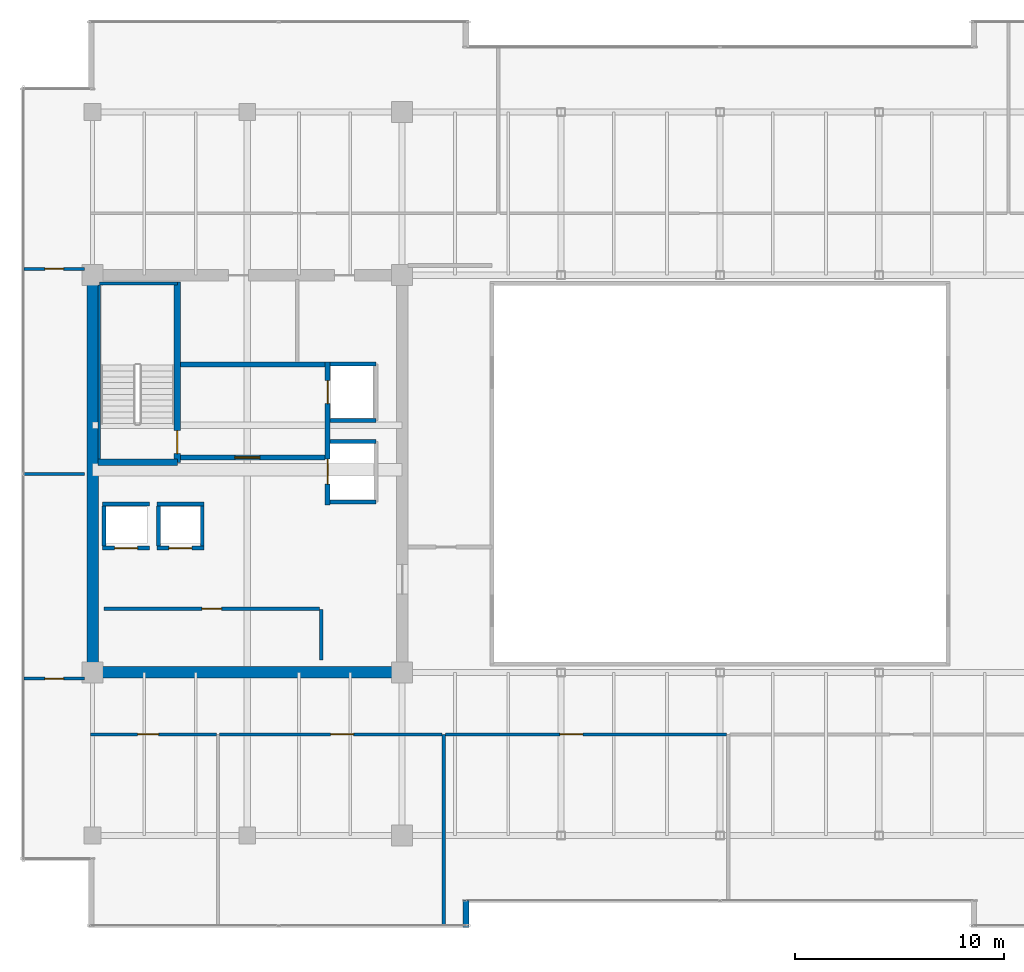
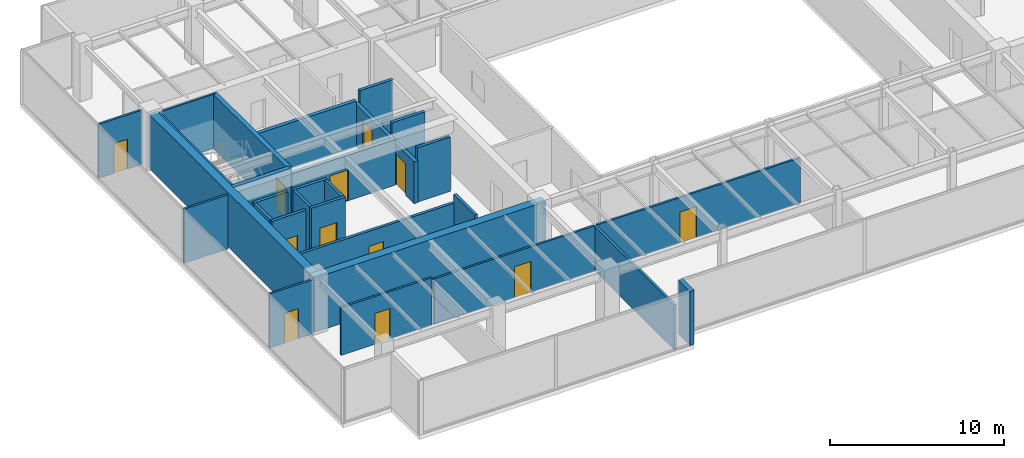
# One storey, part 28 of 33: 30 walls, 12 doors, 12 openings.
"""IFC4 building model written with IfcOpenShell, lengths in metres."""

from ifc_helpers import new_model, si_unit, direction, frame, frame_2d, origin, place, context, subcontext, project, spatial, rectangle, extrude, source, transform, mapped, material, layer, layer_set, type_object, type_shapes, element, fill, save


model = new_model("IFC4")

# Units and contexts
model_context = context("Model", 3, precision=1e-05, world=origin(), true_north=direction((0.0, 1.0)))
body_context = subcontext(model_context, "Body", "Model", "MODEL_VIEW")
ifc_project = project(units=[si_unit("LENGTHUNIT", "METRE"), si_unit("AREAUNIT", "SQUARE_METRE"), si_unit("VOLUMEUNIT", "CUBIC_METRE"), si_unit("PLANEANGLEUNIT", "RADIAN"), si_unit("MASSUNIT", "GRAM", prefix="KILO")], contexts=[model_context])

# Site, building, storey
site_placement = place(None, origin())
site = spatial("IfcSite", under=ifc_project, at=site_placement, CompositionType="ELEMENT")
building_placement = place(site_placement, origin())
building = spatial("IfcBuilding", under=site, at=building_placement, Name="Haelvirn Gate Laboratories", CompositionType="ELEMENT")
storey_placement = place(building_placement, frame((0.0, 0.0, 267.0)))
storey = spatial("IfcBuildingStorey", under=building, at=storey_placement, Name="L64", CompositionType="ELEMENT", Elevation=267.0)

# Walls
ifc_material_1 = material(Name="Thermally-broken bronze aluminium rainscreen & mineral wool", Category="aluminium")
ifc_layer_1 = layer(ifc_material_1, 0.280029296875, Name="EW-TERR-280")
ifc_layer_set_1 = layer_set([ifc_layer_1], Name="Thermally-broken bronze aluminium rainscreen & mineral wool")
wall_type_1 = type_object("IfcWallType", Name="EW-TERR-280", PredefinedType="STANDARD", material=ifc_layer_set_1)
wall_1_placement = place(storey_placement, frame((25.260009765625, 2.60009765625, 0.0), z_axis=(0.0, 0.0, 1.0), x_axis=(0.0, 1.0, 0.0)))
element("IfcWall", 1, at=wall_1_placement, inside=storey, type_object=wall_type_1, Name="L64 Atrium Recess Bronze Return Wall 01", PredefinedType="STANDARD", context=body_context, shape_type="SweptSolid", body=[
    extrude(rectangle(XDim=1.29296875, YDim=0.280029296875, at=frame_2d((0.646484375, 0.0))), origin(), (0.0, 0.0, 1.0), 3.800048828125),
])
ifc_material_2 = material(Name="Double-layer acoustic gypsum laboratory partition", Category="gypsum")
ifc_layer_2 = layer(ifc_material_2, 0.159912109375, Name="IW-ACOUST-160")
ifc_layer_set_2 = layer_set([ifc_layer_2], Name="Double-layer acoustic gypsum laboratory partition")
wall_type_2 = type_object("IfcWallType", Name="IW-ACOUST-160", PredefinedType="PARTITIONING", material=ifc_layer_set_2)
wall_2_placement = place(storey_placement, frame((24.199951171875, 2.7099609375, 0.0), z_axis=(0.0, 0.0, 1.0), x_axis=(0.0, 1.0, 0.0)))
element("IfcWall", 2, at=wall_2_placement, inside=storey, type_object=wall_type_2, Name="L64 Interior Wall IW-L64-SDIV-02", PredefinedType="PARTITIONING", context=body_context, shape_type="SweptSolid", body=[
    extrude(rectangle(XDim=9.130126953125, YDim=0.159912109375, at=frame_2d((4.56494140625, 0.0))), origin(), (0.0, 0.0, 1.0), 3.135009765625),
])

# Wall, opening, door
ifc_material_3 = material(Name="Acoustic mineral-wool gypsum board partition", Category="gypsum")
ifc_layer_3 = layer(ifc_material_3, 0.139892578125, Name="IW-PART-140")
ifc_layer_set_3 = layer_set([ifc_layer_3], Name="Acoustic mineral-wool gypsum board partition")
wall_type_3 = type_object("IfcWallType", Name="IW-PART-140", PredefinedType="PARTITIONING", material=ifc_layer_set_3)
wall_3_placement = place(storey_placement, frame((7.31005859375, 11.840087890625, 0.0), z_axis=(0.0, 0.0, 1.0), x_axis=(1.0, 0.0, 0.0)))
wall_3 = element("IfcWall", 3, at=wall_3_placement, inside=storey, type_object=wall_type_3, Name="L64 Interior Wall IW-L64-SCORR-01", PredefinedType="PARTITIONING", context=body_context, shape_type="SweptSolid", body=[
    extrude(rectangle(XDim=6.010009765625, YDim=0.139892578125, at=frame_2d((3.0048828125, 0.0))), origin(), (0.0, 0.0, 1.0), 3.3349609375),
])
opening_1_placement = place(wall_3_placement, frame((2.246337890625, 0.0, 0.0)))
opening_1 = element("IfcOpeningElement", 4, at=opening_1_placement, cuts=wall_3, Name="Opening D2", PredefinedType="OPENING", context=body_context, shape_type="SweptSolid", body=[
    extrude(rectangle(XDim=1.0, YDim=2.14990234375, at=frame_2d((0.5, 1.074951171875))), frame((0.0, 0.080078125, 0.0), z_axis=(0.0, -1.0, 0.0), x_axis=(1.0, 0.0, 0.0)), (0.0, 0.0, 1.0), 0.159912109375),
])
ifc_material_4 = material(Name="Acoustic solid-core timber suite door", Category="wood")
door_type_1 = type_object("IfcDoorType", Name="DR-INT-1000", OperationType="NOTDEFINED", PredefinedType="DOOR", material=ifc_material_4)
shared_shape_1 = source(origin(), body_context, "Body", "SweptSolid", [
    extrude(rectangle(XDim=1.0, YDim=2.14990234375, at=frame_2d((0.5, 1.074951171875))), frame((0.0, 0.02490234375, 0.0), z_axis=(0.0, -1.0, 0.0), x_axis=(1.0, 0.0, 0.0)), (0.0, 0.0, 1.0), 0.050048828125),
])
type_shapes(door_type_1, [shared_shape_1])
door_1_placement = place(opening_1_placement, origin())
door_1 = element("IfcDoor", 5, at=door_1_placement, inside=storey, type_object=door_type_1, Name="L64 Bioinformatics Dry-Lab Workspace Door S1", OperationType="SINGLE_SWING_LEFT", OverallHeight=2.14990234375, OverallWidth=1.0, PredefinedType="DOOR", context=body_context, shape_type="MappedRepresentation", body=[
    mapped(shared_shape_1, transform((0.0, 0.0, 0.0), scale=1.0)),
])
fill(opening_1, door_1)

wall_4_placement = place(storey_placement, frame((13.47998046875, 11.840087890625, 0.0), z_axis=(0.0, 0.0, 1.0), x_axis=(1.0, 0.0, 0.0)))
wall_4 = element("IfcWall", 6, at=wall_4_placement, inside=storey, type_object=wall_type_3, Name="L64 Interior Wall IW-L64-SCORR-02", PredefinedType="PARTITIONING", context=body_context, shape_type="SweptSolid", body=[
    extrude(rectangle(XDim=10.64013671875, YDim=0.139892578125, at=frame_2d((5.320068359375, 0.0))), origin(), (0.0, 0.0, 1.0), 3.197021484375),
])
opening_2_placement = place(wall_4_placement, frame((5.30029296875, 0.0, 0.0)))
opening_2 = element("IfcOpeningElement", 7, at=opening_2_placement, cuts=wall_4, Name="Opening D1", PredefinedType="OPENING", context=body_context, shape_type="SweptSolid", body=[
    extrude(rectangle(XDim=1.10009765625, YDim=2.179931640625, at=frame_2d((0.550048828125, 1.08984375))), frame((0.0, 0.080078125, 0.0), z_axis=(0.0, -1.0, 0.0), x_axis=(1.0, 0.0, 0.0)), (0.0, 0.0, 1.0), 0.159912109375),
])
ifc_material_5 = material(Name="Vision-panel acoustic solid-core timber lab door", Category="wood")
door_type_2 = type_object("IfcDoorType", Name="DR-LAB-1100", OperationType="NOTDEFINED", PredefinedType="DOOR", material=ifc_material_5)
shared_shape_2 = source(origin(), body_context, "Body", "SweptSolid", [
    extrude(rectangle(XDim=1.10009765625, YDim=2.179931640625, at=frame_2d((0.550048828125, 1.08984375))), frame((0.0, 0.02490234375, 0.0), z_axis=(0.0, -1.0, 0.0), x_axis=(1.0, 0.0, 0.0)), (0.0, 0.0, 1.0), 0.050048828125),
])
type_shapes(door_type_2, [shared_shape_2])
door_2_placement = place(opening_2_placement, origin())
door_2 = element("IfcDoor", 8, at=door_2_placement, inside=storey, type_object=door_type_2, Name="L64 Translational Data Office Door S2", OperationType="SINGLE_SWING_RIGHT", OverallHeight=2.179931640625, OverallWidth=1.10009765625, PredefinedType="DOOR", context=body_context, shape_type="MappedRepresentation", body=[
    mapped(shared_shape_2, transform((0.0, 0.0, 0.0), scale=1.0)),
])
fill(opening_2, door_2)

wall_5_placement = place(storey_placement, frame((24.280029296875, 11.840087890625, 0.0), z_axis=(0.0, 0.0, 1.0), x_axis=(1.0, 0.0, 0.0)))
wall_5 = element("IfcWall", 9, at=wall_5_placement, inside=storey, type_object=wall_type_3, Name="L64 Interior Wall IW-L64-SCORR-03", PredefinedType="PARTITIONING", context=body_context, shape_type="SweptSolid", body=[
    extrude(rectangle(XDim=13.43994140625, YDim=0.139892578125, at=frame_2d((6.719970703125, 0.0))), origin(), (0.0, 0.0, 1.0), 3.197021484375),
])
opening_3_placement = place(wall_5_placement, frame((5.4716796875, 0.0, 0.0)))
opening_3 = element("IfcOpeningElement", 10, at=opening_3_placement, cuts=wall_5, Name="Opening D1", PredefinedType="OPENING", context=body_context, shape_type="SweptSolid", body=[
    extrude(rectangle(XDim=1.10009765625, YDim=2.179931640625, at=frame_2d((0.550048828125, 1.08984375))), frame((0.0, 0.080078125, 0.0), z_axis=(0.0, -1.0, 0.0), x_axis=(1.0, 0.0, 0.0)), (0.0, 0.0, 1.0), 0.159912109375),
])
door_3_placement = place(opening_3_placement, origin())
door_3 = element("IfcDoor", 11, at=door_3_placement, inside=storey, type_object=door_type_2, Name="L64 Scientific Reference Library Door S3", OperationType="SINGLE_SWING_LEFT", OverallHeight=2.179931640625, OverallWidth=1.10009765625, PredefinedType="DOOR", context=body_context, shape_type="MappedRepresentation", body=[
    mapped(shared_shape_2, transform((0.0, 0.0, 0.0), scale=1.0)),
])
fill(opening_3, door_3)

# Wall
wall_6_placement = place(storey_placement, frame((4.110107421875, 24.300048828125, 0.0), z_axis=(0.0, 0.0, 1.0), x_axis=(1.0, 0.0, 0.0)))
element("IfcWall", 12, at=wall_6_placement, inside=storey, type_object=wall_type_3, Name="L64 Interior Wall IW-L64-WZ3-MID", PredefinedType="PARTITIONING", context=body_context, shape_type="SweptSolid", body=[
    extrude(rectangle(XDim=2.909912109375, YDim=0.139892578125, at=frame_2d((1.455078125, 0.0))), origin(), (0.0, 0.0, 1.0), 3.800048828125),
])

# Wall, opening, door
wall_7_placement = place(storey_placement, frame((4.110107421875, 14.5048828125, 0.0), z_axis=(0.0, 0.0, 1.0), x_axis=(1.0, 0.0, 0.0)))
wall_7 = element("IfcWall", 13, at=wall_7_placement, inside=storey, type_object=wall_type_3, Name="L64 Interior Wall IW-L64-WZ3-ENT-S", PredefinedType="PARTITIONING", context=body_context, shape_type="SweptSolid", body=[
    extrude(rectangle(XDim=2.909912109375, YDim=0.139892578125, at=frame_2d((1.455078125, 0.0))), origin(), (0.0, 0.0, 1.0), 3.800048828125),
])
opening_4_placement = place(wall_7_placement, frame((1.0048828125, 0.0, 0.0)))
opening_4 = element("IfcOpeningElement", 14, at=opening_4_placement, cuts=wall_7, Name="Opening D4", PredefinedType="OPENING", context=body_context, shape_type="SweptSolid", body=[
    extrude(rectangle(XDim=0.89990234375, YDim=2.10009765625, at=frame_2d((0.449951171875, 1.050048828125))), frame((0.0, 0.080078125, 0.0), z_axis=(0.0, -1.0, 0.0), x_axis=(1.0, 0.0, 0.0)), (0.0, 0.0, 1.0), 0.159912109375),
])
ifc_material_6 = material(Name="Glazed aluminium-framed write-up door", Category="aluminium")
door_type_3 = type_object("IfcDoorType", Name="DR-OFF-900", OperationType="NOTDEFINED", PredefinedType="DOOR", material=ifc_material_6)
shared_shape_3 = source(origin(), body_context, "Body", "SweptSolid", [
    extrude(rectangle(XDim=0.89990234375, YDim=2.10009765625, at=frame_2d((0.449951171875, 1.050048828125))), frame((0.0, 0.02490234375, 0.0), z_axis=(0.0, -1.0, 0.0), x_axis=(1.0, 0.0, 0.0)), (0.0, 0.0, 1.0), 0.050048828125),
])
type_shapes(door_type_3, [shared_shape_3])
door_4_placement = place(opening_4_placement, origin())
door_4 = element("IfcDoor", 15, at=door_4_placement, inside=storey, type_object=door_type_3, Name="L64 Peer-Review Seminar Room Door W-S", OperationType="SINGLE_SWING_LEFT", OverallHeight=2.10009765625, OverallWidth=0.89990234375, PredefinedType="DOOR", context=body_context, shape_type="MappedRepresentation", body=[
    mapped(shared_shape_3, transform((0.0, 0.0, 0.0), scale=1.0)),
])
fill(opening_4, door_4)

wall_8_placement = place(storey_placement, frame((4.110107421875, 34.094970703125, 0.0), z_axis=(0.0, 0.0, 1.0), x_axis=(1.0, 0.0, 0.0)))
wall_8 = element("IfcWall", 16, at=wall_8_placement, inside=storey, type_object=wall_type_3, Name="L64 Interior Wall IW-L64-WZ3-ENT-N", PredefinedType="PARTITIONING", context=body_context, shape_type="SweptSolid", body=[
    extrude(rectangle(XDim=2.909912109375, YDim=0.139892578125, at=frame_2d((1.455078125, 0.0))), origin(), (0.0, 0.0, 1.0), 3.800048828125),
])
opening_5_placement = place(wall_8_placement, frame((1.0048828125, 0.0, 0.0)))
opening_5 = element("IfcOpeningElement", 17, at=opening_5_placement, cuts=wall_8, Name="Opening D4", PredefinedType="OPENING", context=body_context, shape_type="SweptSolid", body=[
    extrude(rectangle(XDim=0.89990234375, YDim=2.10009765625, at=frame_2d((0.449951171875, 1.050048828125))), frame((0.0, 0.080078125, 0.0), z_axis=(0.0, -1.0, 0.0), x_axis=(1.0, 0.0, 0.0)), (0.0, 0.0, 1.0), 0.159912109375),
])
door_5_placement = place(opening_5_placement, origin())
door_5 = element("IfcDoor", 18, at=door_5_placement, inside=storey, type_object=door_type_3, Name="L64 Protocol Briefing Training Room Door W-N", OperationType="SINGLE_SWING_RIGHT", OverallHeight=2.10009765625, OverallWidth=0.89990234375, PredefinedType="DOOR", context=body_context, shape_type="MappedRepresentation", body=[
    mapped(shared_shape_3, transform((0.0, 0.0, 0.0), scale=1.0)),
])
fill(opening_5, door_5)

# Walls
ifc_material_7 = material(Name="Concrete C40/50", Category="concrete")
ifc_layer_4 = layer(ifc_material_7, 0.179931640625, Name="IW-SHAFT-180")
ifc_layer_set_4 = layer_set([ifc_layer_4], Name="Concrete C40/50")
wall_type_4 = type_object("IfcWallType", Name="IW-SHAFT-180", PredefinedType="SOLIDWALL", material=ifc_layer_set_4)
for number, where, z_axis, x_axis, name in (
    (19, (7.949951171875, 20.85009765625, 0.0), (0.0, 0.0, 1.0), (0.0, 1.0, 0.0), "L64 Interior Wall IW-L64-PL9-SD"),
    (20, (10.550048828125, 20.85009765625, 0.0), (0.0, 0.0, 1.0), (0.0, 1.0, 0.0), "L64 Interior Wall IW-L64-PL10-SD"),
    (21, (12.64990234375, 20.85009765625, 0.0), (0.0, 0.0, 1.0), (0.0, 1.0, 0.0), "L64 Interior Wall IW-L64-PL10-SDE"),
):
    element("IfcWall", number, at=place(storey_placement, frame(where, z_axis=z_axis, x_axis=x_axis)), inside=storey, type_object=wall_type_4, Name=name, PredefinedType="SOLIDWALL", context=body_context, shape_type="SweptSolid", body=[
        extrude(rectangle(XDim=1.89990234375, YDim=0.179931640625, at=frame_2d((0.949951171875, 0.0))), origin(), (0.0, 0.0, 1.0), 3.800048828125),
    ])

# Wall, opening, door
wall_9_placement = place(storey_placement, frame((7.949951171875, 17.85009765625, 0.0), z_axis=(0.0, 0.0, 1.0), x_axis=(1.0, 0.0, 0.0)))
wall_9 = element("IfcWall", 22, at=wall_9_placement, inside=storey, type_object=wall_type_4, Name="L64 Interior Wall IW-L64-W-FREED-HN-1", PredefinedType="SOLIDWALL", context=body_context, shape_type="SweptSolid", body=[
    extrude(rectangle(XDim=10.300048828125, YDim=0.179931640625, at=frame_2d((5.14990234375, 0.0))), origin(), (0.0, 0.0, 1.0), 3.197021484375),
])
opening_6_placement = place(wall_9_placement, frame((4.675048828125, 0.0, 0.0)))
opening_6 = element("IfcOpeningElement", 23, at=opening_6_placement, cuts=wall_9, Name="Opening FD4", PredefinedType="OPENING", context=body_context, shape_type="SweptSolid", body=[
    extrude(rectangle(XDim=0.949951171875, YDim=2.14990234375, at=frame_2d((0.47509765625, 1.074951171875))), frame((0.0, 0.10009765625, 0.0), z_axis=(0.0, -1.0, 0.0), x_axis=(1.0, 0.0, 0.0)), (0.0, 0.0, 1.0), 0.199951171875),
])
ifc_material_8 = material(Name="Fire-rated steel SM355 core service door", Category="steel")
door_type_4 = type_object("IfcDoorType", Name="DR-FD-950", OperationType="NOTDEFINED", PredefinedType="DOOR", material=ifc_material_8)
shared_shape_4 = source(origin(), body_context, "Body", "SweptSolid", [
    extrude(rectangle(XDim=0.949951171875, YDim=2.14990234375, at=frame_2d((0.47509765625, 1.074951171875))), frame((0.0, 0.02490234375, 0.0), z_axis=(0.0, -1.0, 0.0), x_axis=(1.0, 0.0, 0.0)), (0.0, 0.0, 1.0), 0.050048828125),
])
type_shapes(door_type_4, [shared_shape_4])
door_6_placement = place(opening_6_placement, origin())
door_6 = element("IfcDoor", 24, at=door_6_placement, inside=storey, type_object=door_type_4, Name="L64 High-Zone Cryogenic Biobank Vault Door", OperationType="SINGLE_SWING_LEFT", OverallHeight=2.14990234375, OverallWidth=0.949951171875, PredefinedType="DOOR", context=body_context, shape_type="MappedRepresentation", body=[
    mapped(shared_shape_4, transform((0.0, 0.0, 0.0), scale=1.0)),
])
fill(opening_6, door_6)

# Wall
wall_10_placement = place(storey_placement, frame((18.340087890625, 15.39990234375, 0.0), z_axis=(0.0, 0.0, 1.0), x_axis=(0.0, 1.0, 0.0)))
element("IfcWall", 25, at=wall_10_placement, inside=storey, type_object=wall_type_4, Name="L64 Interior Wall IW-L64-W-FREED-HE-1", PredefinedType="SOLIDWALL", context=body_context, shape_type="SweptSolid", body=[
    extrude(rectangle(XDim=2.400146484375, YDim=0.179931640625, at=frame_2d((1.2001953125, 0.0))), origin(), (0.0, 0.0, 1.0), 3.800048828125),
])

# Wall, opening, door
ifc_layer_5 = layer(ifc_material_7, 0.199951171875, Name="IW-SHAFT-200")
ifc_layer_set_5 = layer_set([ifc_layer_5], Name="Concrete C40/50")
wall_type_5 = type_object("IfcWallType", Name="IW-SHAFT-200", PredefinedType="SOLIDWALL", material=ifc_layer_set_5)
wall_11_placement = place(storey_placement, frame((7.8701171875, 20.75, 0.0), z_axis=(0.0, 0.0, 1.0), x_axis=(1.0, 0.0, 0.0)))
wall_11 = element("IfcWall", 26, at=wall_11_placement, inside=storey, type_object=wall_type_5, Name="L64 Interior Wall IW-L64-PL9-FR", PredefinedType="SOLIDWALL", context=body_context, shape_type="SweptSolid", body=[
    extrude(rectangle(XDim=2.259765625, YDim=0.199951171875, at=frame_2d((1.1298828125, 0.0))), origin(), (0.0, 0.0, 1.0), 3.800048828125),
])
opening_7_placement = place(wall_11_placement, frame((0.580078125, 0.0, 0.0)))
opening_7 = element("IfcOpeningElement", 27, at=opening_7_placement, cuts=wall_11, Name="Opening LD2", PredefinedType="OPENING", context=body_context, shape_type="SweptSolid", body=[
    extrude(rectangle(XDim=1.10009765625, YDim=2.219970703125, at=frame_2d((0.550048828125, 1.10986328125))), frame((0.0, 0.10986328125, 0.0), z_axis=(0.0, -1.0, 0.0), x_axis=(1.0, 0.0, 0.0)), (0.0, 0.0, 1.0), 0.219970703125),
])
ifc_material_9 = material(Name="Bronze stainless 316L sliding lift landing door")
door_type_5 = type_object("IfcDoorType", Name="DR-LD-1100", OperationType="NOTDEFINED", PredefinedType="USERDEFINED", material=ifc_material_9)
shared_shape_5 = source(origin(), body_context, "Body", "SweptSolid", [
    extrude(rectangle(XDim=1.10009765625, YDim=2.219970703125, at=frame_2d((0.550048828125, 1.10986328125))), frame((0.0, 0.02490234375, 0.0), z_axis=(0.0, -1.0, 0.0), x_axis=(1.0, 0.0, 0.0)), (0.0, 0.0, 1.0), 0.050048828125),
])
type_shapes(door_type_5, [shared_shape_5])
door_7_placement = place(opening_7_placement, origin())
door_7 = element("IfcDoor", 28, at=door_7_placement, inside=storey, type_object=door_type_5, Name="L64 Passenger Lift PL9 Landing Door", ObjectType="LANDING_DOOR", OperationType="SLIDING_TO_LEFT", OverallHeight=2.219970703125, OverallWidth=1.10009765625, PredefinedType="USERDEFINED", context=body_context, shape_type="MappedRepresentation", body=[
    mapped(shared_shape_5, transform((0.0, 0.0, 0.0), scale=1.0)),
])
fill(opening_7, door_7)

# Wall
wall_12_placement = place(storey_placement, frame((7.8701171875, 22.85009765625, 0.0), z_axis=(0.0, 0.0, 1.0), x_axis=(1.0, 0.0, 0.0)))
element("IfcWall", 29, at=wall_12_placement, inside=storey, type_object=wall_type_5, Name="L64 Interior Wall IW-L64-PL9-BK", PredefinedType="SOLIDWALL", context=body_context, shape_type="SweptSolid", body=[
    extrude(rectangle(XDim=2.259765625, YDim=0.199951171875, at=frame_2d((1.1298828125, 0.0))), origin(), (0.0, 0.0, 1.0), 3.800048828125),
])

# Wall, opening, door
wall_13_placement = place(storey_placement, frame((10.469970703125, 20.75, 0.0), z_axis=(0.0, 0.0, 1.0), x_axis=(1.0, 0.0, 0.0)))
wall_13 = element("IfcWall", 30, at=wall_13_placement, inside=storey, type_object=wall_type_5, Name="L64 Interior Wall IW-L64-PL10-FR", PredefinedType="SOLIDWALL", context=body_context, shape_type="SweptSolid", body=[
    extrude(rectangle(XDim=2.260009765625, YDim=0.199951171875, at=frame_2d((1.1298828125, 0.0))), origin(), (0.0, 0.0, 1.0), 3.800048828125),
])
opening_8_placement = place(wall_13_placement, frame((0.580078125, 0.0, 0.0)))
opening_8 = element("IfcOpeningElement", 31, at=opening_8_placement, cuts=wall_13, Name="Opening LD2", PredefinedType="OPENING", context=body_context, shape_type="SweptSolid", body=[
    extrude(rectangle(XDim=1.10009765625, YDim=2.219970703125, at=frame_2d((0.550048828125, 1.10986328125))), frame((0.0, 0.10986328125, 0.0), z_axis=(0.0, -1.0, 0.0), x_axis=(1.0, 0.0, 0.0)), (0.0, 0.0, 1.0), 0.219970703125),
])
door_8_placement = place(opening_8_placement, origin())
door_8 = element("IfcDoor", 32, at=door_8_placement, inside=storey, type_object=door_type_5, Name="L64 Passenger Lift PL10 Landing Door", ObjectType="LANDING_DOOR", OperationType="SLIDING_TO_RIGHT", OverallHeight=2.219970703125, OverallWidth=1.10009765625, PredefinedType="USERDEFINED", context=body_context, shape_type="MappedRepresentation", body=[
    mapped(shared_shape_5, transform((0.0, 0.0, 0.0), scale=1.0)),
])
fill(opening_8, door_8)

# Walls
wall_14_placement = place(storey_placement, frame((10.469970703125, 22.85009765625, 0.0), z_axis=(0.0, 0.0, 1.0), x_axis=(1.0, 0.0, 0.0)))
element("IfcWall", 33, at=wall_14_placement, inside=storey, type_object=wall_type_5, Name="L64 Interior Wall IW-L64-PL10-BK", PredefinedType="SOLIDWALL", context=body_context, shape_type="SweptSolid", body=[
    extrude(rectangle(XDim=2.260009765625, YDim=0.199951171875, at=frame_2d((1.1298828125, 0.0))), origin(), (0.0, 0.0, 1.0), 3.800048828125),
])
wall_15_placement = place(storey_placement, frame((18.760009765625, 29.550048828125, 0.0), z_axis=(0.0, 0.0, 1.0), x_axis=(1.0, 0.0, 0.0)))
element("IfcWall", 34, at=wall_15_placement, inside=storey, type_object=wall_type_5, Name="L64 Interior Wall IW-L64-FL1-N", PredefinedType="SOLIDWALL", context=body_context, shape_type="SweptSolid", body=[
    extrude(rectangle(XDim=2.18994140625, YDim=0.199951171875, at=frame_2d((1.094970703125, 0.0))), origin(), (0.0, 0.0, 1.0), 3.800048828125),
])
wall_16_placement = place(storey_placement, frame((18.760009765625, 26.85009765625, 0.0), z_axis=(0.0, 0.0, 1.0), x_axis=(1.0, 0.0, 0.0)))
element("IfcWall", 35, at=wall_16_placement, inside=storey, type_object=wall_type_5, Name="L64 Interior Wall IW-L64-FL1-S", PredefinedType="SOLIDWALL", context=body_context, shape_type="SweptSolid", body=[
    extrude(rectangle(XDim=2.18994140625, YDim=0.199951171875, at=frame_2d((1.094970703125, 0.0))), origin(), (0.0, 0.0, 1.0), 3.197021484375),
])
for number, where, z_axis, x_axis, name in (
    (36, (18.760009765625, 25.85009765625, 0.0), (0.0, 0.0, 1.0), (1.0, 0.0, 0.0), "L64 Interior Wall IW-L64-SL1-N"),
    (37, (18.760009765625, 22.949951171875, 0.0), (0.0, 0.0, 1.0), (1.0, 0.0, 0.0), "L64 Interior Wall IW-L64-SL1-S"),
):
    element("IfcWall", number, at=place(storey_placement, frame(where, z_axis=z_axis, x_axis=x_axis)), inside=storey, type_object=wall_type_5, Name=name, PredefinedType="SOLIDWALL", context=body_context, shape_type="SweptSolid", body=[
        extrude(rectangle(XDim=2.18994140625, YDim=0.199951171875, at=frame_2d((1.094970703125, 0.0))), origin(), (0.0, 0.0, 1.0), 3.800048828125),
    ])

# Wall, opening, door
ifc_layer_6 = layer(ifc_material_7, 0.239990234375, Name="IW-SHAFT-240")
ifc_layer_set_6 = layer_set([ifc_layer_6], Name="Concrete C40/50")
wall_type_6 = type_object("IfcWallType", Name="IW-SHAFT-240", PredefinedType="SOLIDWALL", material=ifc_layer_set_6)
wall_17_placement = place(storey_placement, frame((11.60009765625, 25.080078125, 0.0), z_axis=(0.0, 0.0, 1.0), x_axis=(1.0, 0.0, 0.0)))
wall_17 = element("IfcWall", 38, at=wall_17_placement, inside=storey, type_object=wall_type_6, Name="L64 Interior Wall IW-L64-W-FF-S", PredefinedType="SOLIDWALL", context=body_context, shape_type="SweptSolid", body=[
    extrude(rectangle(XDim=6.919921875, YDim=0.239990234375, at=frame_2d((3.4599609375, 0.0))), origin(), (0.0, 0.0, 1.0), 3.197021484375),
])
opening_9_placement = place(wall_17_placement, frame((2.60009765625, 0.0, 0.0)))
opening_9 = element("IfcOpeningElement", 39, at=opening_9_placement, cuts=wall_17, Name="Opening FD2", PredefinedType="OPENING", context=body_context, shape_type="SweptSolid", body=[
    extrude(rectangle(XDim=1.199951171875, YDim=2.159912109375, at=frame_2d((0.60009765625, 1.080078125))), frame((0.0, 0.1298828125, 0.0), z_axis=(0.0, -1.0, 0.0), x_axis=(1.0, 0.0, 0.0)), (0.0, 0.0, 1.0), 0.260009765625),
])
ifc_material_10 = material(Name="Fire-rated steel SM355 compartment door", Category="steel")
door_type_6 = type_object("IfcDoorType", Name="DR-FD-1200", OperationType="NOTDEFINED", PredefinedType="DOOR", material=ifc_material_10)
shared_shape_6 = source(origin(), body_context, "Body", "SweptSolid", [
    extrude(rectangle(XDim=1.199951171875, YDim=2.159912109375, at=frame_2d((0.60009765625, 1.080078125))), frame((0.0, 0.02490234375, 0.0), z_axis=(0.0, -1.0, 0.0), x_axis=(1.0, 0.0, 0.0)), (0.0, 0.0, 1.0), 0.050048828125),
])
type_shapes(door_type_6, [shared_shape_6])
door_9_placement = place(opening_9_placement, origin())
door_9 = element("IfcDoor", 40, at=door_9_placement, inside=storey, type_object=door_type_6, Name="L64 West Firefighting Lobby Door", OperationType="SINGLE_SWING_RIGHT", OverallHeight=2.159912109375, OverallWidth=1.199951171875, PredefinedType="DOOR", context=body_context, shape_type="MappedRepresentation", body=[
    mapped(shared_shape_6, transform((0.0, 0.0, 0.0), scale=1.0)),
])
fill(opening_9, door_9)

# Wall
wall_18_placement = place(storey_placement, frame((11.60009765625, 29.52001953125, 0.0), z_axis=(0.0, 0.0, 1.0), x_axis=(1.0, 0.0, 0.0)))
element("IfcWall", 41, at=wall_18_placement, inside=storey, type_object=wall_type_6, Name="L64 Interior Wall IW-L64-W-FF-N", PredefinedType="SOLIDWALL", context=body_context, shape_type="SweptSolid", body=[
    extrude(rectangle(XDim=6.919921875, YDim=0.239990234375, at=frame_2d((3.4599609375, 0.0))), origin(), (0.0, 0.0, 1.0), 3.197021484375),
])

# Wall, openings, doors
wall_19_placement = place(storey_placement, frame((18.639892578125, 22.800048828125, 0.0), z_axis=(0.0, 0.0, 1.0), x_axis=(0.0, 1.0, 0.0)))
wall_19 = element("IfcWall", 42, at=wall_19_placement, inside=storey, type_object=wall_type_6, Name="L64 Interior Wall IW-L64-W-FF-E", PredefinedType="SOLIDWALL", context=body_context, shape_type="SweptSolid", body=[
    extrude(rectangle(XDim=6.849853515625, YDim=0.239990234375, at=frame_2d((3.4248046875, 0.0))), origin(), (0.0, 0.0, 1.0), 2.93505859375),
])
opening_10_placement = place(wall_19_placement, frame((4.85009765625, 0.0, 0.0)))
opening_10 = element("IfcOpeningElement", 43, at=opening_10_placement, cuts=wall_19, Name="Opening LD2", PredefinedType="OPENING", context=body_context, shape_type="SweptSolid", body=[
    extrude(rectangle(XDim=1.10009765625, YDim=2.219970703125, at=frame_2d((0.550048828125, 1.10986328125))), frame((0.0, 0.1298828125, 0.0), z_axis=(0.0, -1.0, 0.0), x_axis=(1.0, 0.0, 0.0)), (0.0, 0.0, 1.0), 0.260009765625),
])
opening_11_placement = place(wall_19_placement, frame((1.0, 0.0, 0.0)))
opening_11 = element("IfcOpeningElement", 44, at=opening_11_placement, cuts=wall_19, Name="Opening LD1", PredefinedType="OPENING", context=body_context, shape_type="SweptSolid", body=[
    extrude(rectangle(XDim=1.199951171875, YDim=2.219970703125, at=frame_2d((0.60009765625, 1.10986328125))), frame((0.0, 0.1298828125, 0.0), z_axis=(0.0, -1.0, 0.0), x_axis=(1.0, 0.0, 0.0)), (0.0, 0.0, 1.0), 0.260009765625),
])
door_10_placement = place(opening_10_placement, origin())
door_10 = element("IfcDoor", 45, at=door_10_placement, inside=storey, type_object=door_type_5, Name="L64 Firefighting Lift FL1 Landing Door", ObjectType="LANDING_DOOR", OperationType="SLIDING_TO_LEFT", OverallHeight=2.219970703125, OverallWidth=1.10009765625, PredefinedType="USERDEFINED", context=body_context, shape_type="MappedRepresentation", body=[
    mapped(shared_shape_5, transform((0.0, 0.0, 0.0), scale=1.0)),
])
fill(opening_10, door_10)
ifc_material_11 = material(Name="Stainless steel 316L sliding goods landing door", Category="steel")
door_type_7 = type_object("IfcDoorType", Name="DR-LD-1200", OperationType="NOTDEFINED", PredefinedType="USERDEFINED", material=ifc_material_11)
shared_shape_7 = source(origin(), body_context, "Body", "SweptSolid", [
    extrude(rectangle(XDim=1.199951171875, YDim=2.219970703125, at=frame_2d((0.60009765625, 1.10986328125))), frame((0.0, 0.02490234375, 0.0), z_axis=(0.0, -1.0, 0.0), x_axis=(1.0, 0.0, 0.0)), (0.0, 0.0, 1.0), 0.050048828125),
])
type_shapes(door_type_7, [shared_shape_7])
door_11_placement = place(opening_11_placement, origin())
door_11 = element("IfcDoor", 46, at=door_11_placement, inside=storey, type_object=door_type_7, Name="L64 Service Lift SL1 Landing Door", ObjectType="LANDING_DOOR", OperationType="SLIDING_TO_RIGHT", OverallHeight=2.219970703125, OverallWidth=1.199951171875, PredefinedType="USERDEFINED", context=body_context, shape_type="MappedRepresentation", body=[
    mapped(shared_shape_7, transform((0.0, 0.0, 0.0), scale=1.0)),
])
fill(opening_11, door_11)

# Walls
ifc_material_12 = material(Name="Concrete C50/60", Category="concrete")
ifc_layer_7 = layer(ifc_material_12, 0.550048828125, Name="SW-CORE-550")
ifc_layer_set_7 = layer_set([ifc_layer_7], Name="Concrete C50/60")
wall_type_7 = type_object("IfcWallType", Name="SW-CORE-550", PredefinedType="SHEAR", material=ifc_layer_set_7)
wall_20_placement = place(storey_placement, frame((7.125, 14.800048828125, 0.0), z_axis=(0.0, 0.0, 1.0), x_axis=(1.0, 0.0, 0.0)))
element("IfcWall", 47, at=wall_20_placement, inside=storey, type_object=wall_type_7, Name="L64 W Core Shear Wall S", PredefinedType="SHEAR", context=body_context, shape_type="SweptSolid", body=[
    extrude(rectangle(XDim=15.35009765625, YDim=0.550048828125, at=frame_2d((7.675048828125, 0.0))), origin(), (0.0, 0.0, 1.0), 3.800048828125),
])
wall_21_placement = place(storey_placement, frame((7.39990234375, 15.074951171875, 0.0), z_axis=(0.0, 0.0, 1.0), x_axis=(0.0, 1.0, 0.0)))
element("IfcWall", 48, at=wall_21_placement, inside=storey, type_object=wall_type_7, Name="L64 W Core Shear Wall W", PredefinedType="SHEAR", context=body_context, shape_type="SweptSolid", body=[
    extrude(rectangle(XDim=18.449951171875, YDim=0.550048828125, at=frame_2d((9.22509765625, 0.0))), origin(), (0.0, 0.0, 1.0), 3.800048828125),
])
ifc_layer_8 = layer(ifc_material_12, 0.1201171875, Name="SW-LINER-120")
ifc_layer_set_8 = layer_set([ifc_layer_8], Name="Concrete C50/60")
wall_type_8 = type_object("IfcWallType", Name="SW-LINER-120", PredefinedType="SOLIDWALL", material=ifc_layer_set_8)
wall_22_placement = place(storey_placement, frame((7.72998046875, 33.39990234375, 0.0), z_axis=(0.0, 0.0, 1.0), x_axis=(1.0, 0.0, 0.0)))
element("IfcWall", 49, at=wall_22_placement, inside=storey, type_object=wall_type_8, Name="L64 W Core Stair Shaft Liner Wall N", PredefinedType="SOLIDWALL", context=body_context, shape_type="SweptSolid", body=[
    extrude(rectangle(XDim=3.719970703125, YDim=0.1201171875, at=frame_2d((1.85986328125, 0.0))), origin(), (0.0, 0.0, 1.0), 3.800048828125),
])
wall_23_placement = place(storey_placement, frame((7.72998046875, 25.0, 0.0), z_axis=(0.0, 0.0, 1.0), x_axis=(0.0, 1.0, 0.0)))
element("IfcWall", 50, at=wall_23_placement, inside=storey, type_object=wall_type_8, Name="L64 W Core Stair Shaft Liner Wall OUT", PredefinedType="SOLIDWALL", context=body_context, shape_type="SweptSolid", body=[
    extrude(rectangle(XDim=8.320068359375, YDim=0.1201171875, at=frame_2d((4.16015625, 0.0))), origin(), (0.0, 0.0, 1.0), 3.800048828125),
])

# Wall, opening, door
ifc_layer_9 = layer(ifc_material_12, 0.300048828125, Name="SW-STAIR-300")
ifc_layer_set_9 = layer_set([ifc_layer_9], Name="Concrete C50/60")
wall_type_9 = type_object("IfcWallType", Name="SW-STAIR-300", PredefinedType="SHEAR", material=ifc_layer_set_9)
wall_24_placement = place(storey_placement, frame((11.449951171875, 24.85009765625, 0.0), z_axis=(0.0, 0.0, 1.0), x_axis=(0.0, 1.0, 0.0)))
wall_24 = element("IfcWall", 51, at=wall_24_placement, inside=storey, type_object=wall_type_9, Name="L64 W Core Stair Shaft Structural Wall IN", PredefinedType="SHEAR", context=body_context, shape_type="SweptSolid", body=[
    extrude(rectangle(XDim=8.6298828125, YDim=0.300048828125, at=frame_2d((4.31494140625, 0.0))), origin(), (0.0, 0.0, 1.0), 3.800048828125),
])
opening_12_placement = place(wall_24_placement, frame((0.419921875, 0.0, 0.0)))
opening_12 = element("IfcOpeningElement", 52, at=opening_12_placement, cuts=wall_24, Name="Opening FD3", PredefinedType="OPENING", context=body_context, shape_type="SweptSolid", body=[
    extrude(rectangle(XDim=1.10009765625, YDim=2.14990234375, at=frame_2d((0.550048828125, 1.074951171875))), frame((0.0, 0.16015625, 0.0), z_axis=(0.0, -1.0, 0.0), x_axis=(1.0, 0.0, 0.0)), (0.0, 0.0, 1.0), 0.320068359375),
])
ifc_material_13 = material(Name="Fire-rated steel SM355 escape stair door", Category="steel")
door_type_8 = type_object("IfcDoorType", Name="DR-FD-1100", OperationType="NOTDEFINED", PredefinedType="DOOR", material=ifc_material_13)
shared_shape_8 = source(origin(), body_context, "Body", "SweptSolid", [
    extrude(rectangle(XDim=1.10009765625, YDim=2.14990234375, at=frame_2d((0.550048828125, 1.074951171875))), frame((0.0, 0.02490234375, 0.0), z_axis=(0.0, -1.0, 0.0), x_axis=(1.0, 0.0, 0.0)), (0.0, 0.0, 1.0), 0.050048828125),
])
type_shapes(door_type_8, [shared_shape_8])
door_12_placement = place(opening_12_placement, origin())
door_12 = element("IfcDoor", 53, at=door_12_placement, inside=storey, type_object=door_type_8, Name="L64 Escape Stair ST1 Fire Door", OperationType="SINGLE_SWING_LEFT", OverallHeight=2.14990234375, OverallWidth=1.10009765625, PredefinedType="DOOR", context=body_context, shape_type="MappedRepresentation", body=[
    mapped(shared_shape_8, transform((0.0, 0.0, 0.0), scale=1.0)),
])
fill(opening_12, door_12)

# Wall
wall_25_placement = place(storey_placement, frame((7.64990234375, 24.85009765625, 0.0), z_axis=(0.0, 0.0, 1.0), x_axis=(1.0, 0.0, 0.0)))
element("IfcWall", 54, at=wall_25_placement, inside=storey, type_object=wall_type_9, Name="L64 W Core Stair Shaft Structural Wall S", PredefinedType="SHEAR", context=body_context, shape_type="SweptSolid", body=[
    extrude(rectangle(XDim=3.800048828125, YDim=0.300048828125, at=frame_2d((1.89990234375, 0.0))), origin(), (0.0, 0.0, 1.0), 3.800048828125),
])

save(model, "model.ifc")
